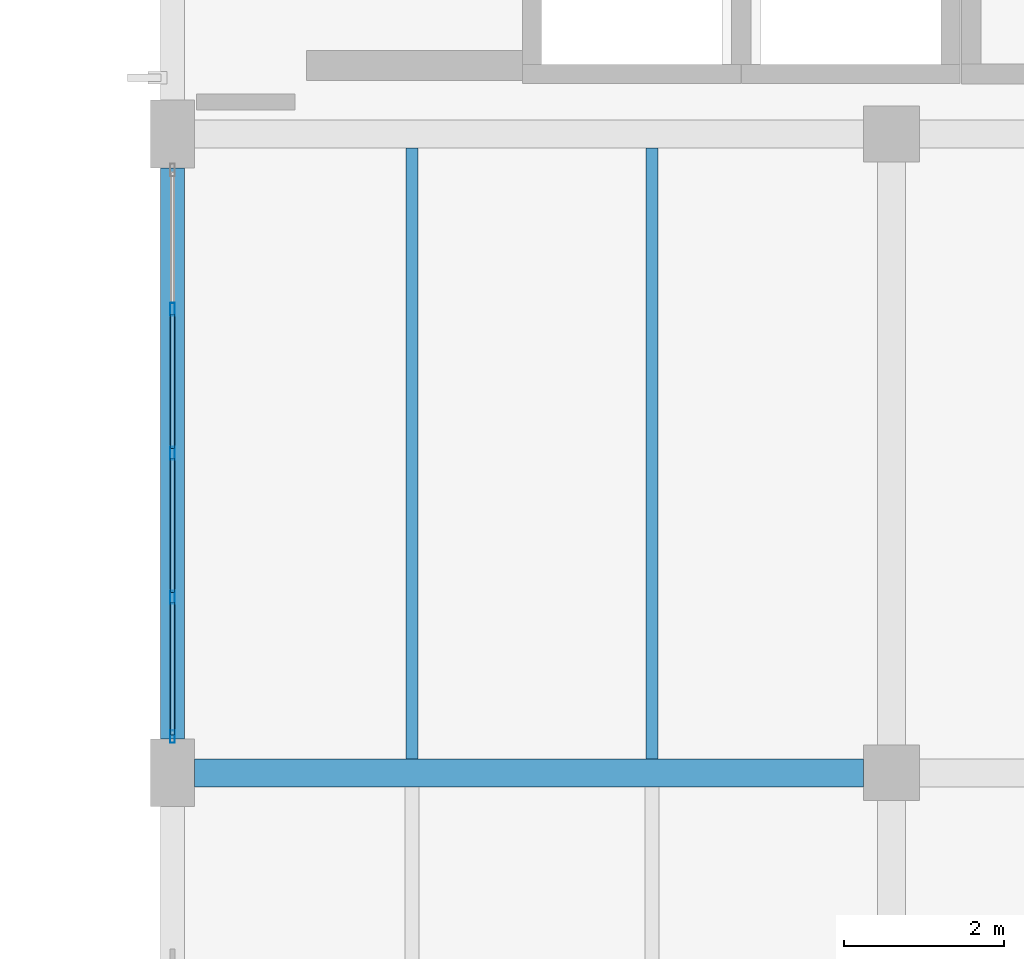
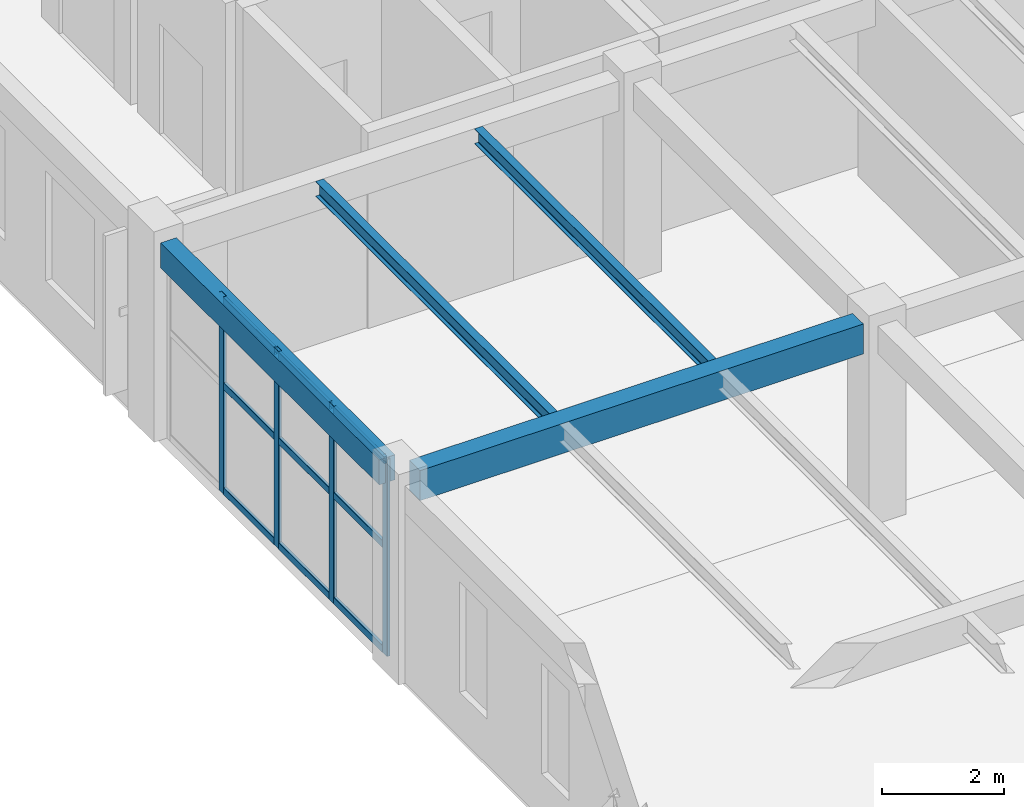
# One storey, part 29 of 71: 13 members, 4 beams, 1 element without a shape of its own.
"""IFC4 building model written with IfcOpenShell, lengths in metres."""

from ifc_helpers import new_model, si_unit, derived_unit, direction, frame, origin, origin_2d, place, context, subcontext, project, spatial, rectangle, hollow_rectangle, i_section, extrude, material, material_profile, profile_set, type_object, element, aggregate, save


model = new_model("IFC4")

# Units and contexts
model_context = context("Model", 3, precision=1e-05, world=origin(), true_north=direction((0.0, 1.0)))
body_context = subcontext(model_context, "Body", "Model", "MODEL_VIEW")
ifc_project = project(units=[si_unit("LENGTHUNIT", "METRE"), si_unit("AREAUNIT", "SQUARE_METRE"), si_unit("VOLUMEUNIT", "CUBIC_METRE"), si_unit("PLANEANGLEUNIT", "RADIAN"), si_unit("MASSUNIT", "GRAM", prefix="KILO"), derived_unit("THERMALTRANSMITTANCEUNIT", [(si_unit("MASSUNIT", "GRAM", prefix="KILO"), 1), (si_unit("TIMEUNIT", "SECOND"), -3), (si_unit("THERMODYNAMICTEMPERATUREUNIT", "KELVIN"), -1)])], contexts=[model_context])

# Site, building, storey
site_placement = place(None, origin())
site = spatial("IfcSite", under=ifc_project, at=site_placement, CompositionType="ELEMENT")
building_placement = place(site_placement, origin())
building = spatial("IfcBuilding", under=site, at=building_placement, Name="Zhenchuan Archway Interchange", CompositionType="ELEMENT")
storey_placement = place(building_placement, frame((0.0, 0.0, 18.60009765625)))
storey = spatial("IfcBuildingStorey", under=building, at=storey_placement, Name="L04", CompositionType="ELEMENT", Elevation=18.60009765625)

# Beam
ifc_material_1 = material(Name="Concrete C40", Category="concrete")
ifc_material_profile_1 = material_profile(ifc_material_1, rectangle(XDim=0.35009765625, YDim=0.60009765625, at=origin_2d()), Name="RC 350x600")
ifc_profile_set_1 = profile_set([ifc_material_profile_1], Name="Concrete C40")
beam_type_1 = type_object("IfcBeamType", Name="BM_RC_350x600", PredefinedType="BEAM", material=ifc_profile_set_1)
beam_1_placement = place(storey_placement, frame((144.27490234375, 40.0, 3.639892578125), z_axis=(1.0, 0.0, 0.0), x_axis=(0.0, 1.0, 0.0)))
element("IfcBeam", 1, at=beam_1_placement, inside=storey, type_object=beam_type_1, Name="Beam F:17-18 (L04)", PredefinedType="BEAM", context=body_context, shape_type="SweptSolid", body=[
    extrude(rectangle(XDim=0.35009765625, YDim=0.60009765625, at=origin_2d()), origin(), (0.0, 0.0, 1.0), 8.375),
])

# Curtain wall, members
ifc_material_2 = material(Name="Anodised Aluminium", Category="aluminium")
curtain_wall_type = type_object("IfcCurtainWallType", Name="CW_UNIT_3", PredefinedType="NOTDEFINED", material=ifc_material_2)
curtain_wall_placement = place(storey_placement, origin())
curtain_wall = element("IfcCurtainWall", 2, at=curtain_wall_placement, inside=storey, type_object=curtain_wall_type, Name="Unitised curtain wall CW:L04:190", PredefinedType="NOTDEFINED")
ifc_material_profile_2 = material_profile(ifc_material_2, hollow_rectangle(XDim=0.06005859375, YDim=0.159912109375, WallThickness=0.00390625, InnerFilletRadius=0.00390625, OuterFilletRadius=0.008056640625, at=origin_2d()), Name="ALU 160x60x4")
ifc_profile_set_2 = profile_set([ifc_material_profile_2], Name="Anodised Aluminium")
member_type_1 = type_object("IfcMemberType", Name="CW_MUL_150", PredefinedType="MULLION", material=ifc_profile_set_2)
member_1_placement = place(storey_placement, frame((144.0, 40.452880859375, 0.0), z_axis=(0.0, 0.0, 1.0), x_axis=(1.0, 0.0, 0.0)))
member_1 = element("IfcMember", 3, at=member_1_placement, type_object=member_type_1, Name="CW:L04:190 mullion 0", PredefinedType="MULLION", context=body_context, shape_type="SweptSolid", body=[
    extrude(hollow_rectangle(XDim=0.06005859375, YDim=0.159912109375, WallThickness=0.00390625, InnerFilletRadius=0.00390625, OuterFilletRadius=0.008056640625, at=origin_2d()), origin(), (0.0, 0.0, 1.0), 3.93994140625),
])
member_2_placement = place(storey_placement, frame((144.0, 42.196533203125, 0.0), z_axis=(0.0, 0.0, 1.0), x_axis=(1.0, 0.0, 0.0)))
member_2 = element("IfcMember", 4, at=member_2_placement, type_object=member_type_1, Name="CW:L04:190 mullion 1", PredefinedType="MULLION", context=body_context, shape_type="SweptSolid", body=[
    extrude(hollow_rectangle(XDim=0.06005859375, YDim=0.159912109375, WallThickness=0.00390625, InnerFilletRadius=0.00390625, OuterFilletRadius=0.008056640625, at=origin_2d()), origin(), (0.0, 0.0, 1.0), 3.93994140625),
])
member_3_placement = place(storey_placement, frame((144.0, 44.0, 0.0), z_axis=(0.0, 0.0, 1.0), x_axis=(1.0, 0.0, 0.0)))
member_3 = element("IfcMember", 5, at=member_3_placement, type_object=member_type_1, Name="CW:L04:190 mullion 2", PredefinedType="MULLION", context=body_context, shape_type="SweptSolid", body=[
    extrude(hollow_rectangle(XDim=0.06005859375, YDim=0.159912109375, WallThickness=0.00390625, InnerFilletRadius=0.00390625, OuterFilletRadius=0.008056640625, at=origin_2d()), origin(), (0.0, 0.0, 1.0), 3.93994140625),
])
member_4_placement = place(storey_placement, frame((144.0, 45.803466796875, 0.0), z_axis=(0.0, 0.0, 1.0), x_axis=(1.0, 0.0, 0.0)))
member_4 = element("IfcMember", 6, at=member_4_placement, type_object=member_type_1, Name="CW:L04:190 mullion 3", PredefinedType="MULLION", context=body_context, shape_type="SweptSolid", body=[
    extrude(hollow_rectangle(XDim=0.06005859375, YDim=0.159912109375, WallThickness=0.00390625, InnerFilletRadius=0.00390625, OuterFilletRadius=0.008056640625, at=origin_2d()), origin(), (0.0, 0.0, 1.0), 3.93994140625),
])
ifc_material_profile_3 = material_profile(ifc_material_2, hollow_rectangle(XDim=0.06005859375, YDim=0.139892578125, WallThickness=0.00341796875, InnerFilletRadius=0.00341796875, OuterFilletRadius=0.007080078125, at=origin_2d()), Name="ALU 140x60x3.5")
ifc_profile_set_3 = profile_set([ifc_material_profile_3], Name="Anodised Aluminium")
member_type_2 = type_object("IfcMemberType", Name="CW_TRN_140", PredefinedType="USERDEFINED", material=ifc_profile_set_3)
member_5_placement = place(storey_placement, frame((144.0, 40.472900390625, 0.059814453125), z_axis=(0.0, 1.0, 0.0), x_axis=(-1.0, 0.0, 0.0)))
member_5 = element("IfcMember", 7, at=member_5_placement, type_object=member_type_2, Name="CW:L04:190 transom 0-1", ObjectType="TRANSOM", PredefinedType="USERDEFINED", context=body_context, shape_type="SweptSolid", body=[
    extrude(hollow_rectangle(XDim=0.06005859375, YDim=0.139892578125, WallThickness=0.00341796875, InnerFilletRadius=0.00341796875, OuterFilletRadius=0.007080078125, at=origin_2d()), origin(), (0.0, 0.0, 1.0), 1.66357421875),
])
member_6_placement = place(storey_placement, frame((144.0, 40.472900390625, 2.156005859375), z_axis=(0.0, 1.0, 0.0), x_axis=(-1.0, 0.0, 0.0)))
member_6 = element("IfcMember", 8, at=member_6_placement, type_object=member_type_2, Name="CW:L04:190 transom 0-2", ObjectType="TRANSOM", PredefinedType="USERDEFINED", context=body_context, shape_type="SweptSolid", body=[
    extrude(hollow_rectangle(XDim=0.06005859375, YDim=0.139892578125, WallThickness=0.00341796875, InnerFilletRadius=0.00341796875, OuterFilletRadius=0.007080078125, at=origin_2d()), origin(), (0.0, 0.0, 1.0), 1.66357421875),
])
member_7_placement = place(storey_placement, frame((144.0, 40.472900390625, 3.85986328125), z_axis=(0.0, 1.0, 0.0), x_axis=(-1.0, 0.0, 0.0)))
member_7 = element("IfcMember", 9, at=member_7_placement, type_object=member_type_2, Name="CW:L04:190 transom 0-3", ObjectType="TRANSOM", PredefinedType="USERDEFINED", context=body_context, shape_type="SweptSolid", body=[
    extrude(hollow_rectangle(XDim=0.06005859375, YDim=0.139892578125, WallThickness=0.00341796875, InnerFilletRadius=0.00341796875, OuterFilletRadius=0.007080078125, at=origin_2d()), origin(), (0.0, 0.0, 1.0), 1.66357421875),
])
member_8_placement = place(storey_placement, frame((144.0, 42.256591796875, 0.059814453125), z_axis=(0.0, 1.0, 0.0), x_axis=(-1.0, 0.0, 0.0)))
member_8 = element("IfcMember", 10, at=member_8_placement, type_object=member_type_2, Name="CW:L04:190 transom 1-1", ObjectType="TRANSOM", PredefinedType="USERDEFINED", context=body_context, shape_type="SweptSolid", body=[
    extrude(hollow_rectangle(XDim=0.06005859375, YDim=0.139892578125, WallThickness=0.00341796875, InnerFilletRadius=0.00341796875, OuterFilletRadius=0.007080078125, at=origin_2d()), origin(), (0.0, 0.0, 1.0), 1.683349609375),
])
member_9_placement = place(storey_placement, frame((144.0, 42.256591796875, 2.156005859375), z_axis=(0.0, 1.0, 0.0), x_axis=(-1.0, 0.0, 0.0)))
member_9 = element("IfcMember", 11, at=member_9_placement, type_object=member_type_2, Name="CW:L04:190 transom 1-2", ObjectType="TRANSOM", PredefinedType="USERDEFINED", context=body_context, shape_type="SweptSolid", body=[
    extrude(hollow_rectangle(XDim=0.06005859375, YDim=0.139892578125, WallThickness=0.00341796875, InnerFilletRadius=0.00341796875, OuterFilletRadius=0.007080078125, at=origin_2d()), origin(), (0.0, 0.0, 1.0), 1.683349609375),
])
member_10_placement = place(storey_placement, frame((144.0, 42.256591796875, 3.85986328125), z_axis=(0.0, 1.0, 0.0), x_axis=(-1.0, 0.0, 0.0)))
member_10 = element("IfcMember", 12, at=member_10_placement, type_object=member_type_2, Name="CW:L04:190 transom 1-3", ObjectType="TRANSOM", PredefinedType="USERDEFINED", context=body_context, shape_type="SweptSolid", body=[
    extrude(hollow_rectangle(XDim=0.06005859375, YDim=0.139892578125, WallThickness=0.00341796875, InnerFilletRadius=0.00341796875, OuterFilletRadius=0.007080078125, at=origin_2d()), origin(), (0.0, 0.0, 1.0), 1.683349609375),
])
member_11_placement = place(storey_placement, frame((144.0, 44.06005859375, 0.059814453125), z_axis=(0.0, 1.0, 0.0), x_axis=(-1.0, 0.0, 0.0)))
member_11 = element("IfcMember", 13, at=member_11_placement, type_object=member_type_2, Name="CW:L04:190 transom 2-1", ObjectType="TRANSOM", PredefinedType="USERDEFINED", context=body_context, shape_type="SweptSolid", body=[
    extrude(hollow_rectangle(XDim=0.06005859375, YDim=0.139892578125, WallThickness=0.00341796875, InnerFilletRadius=0.00341796875, OuterFilletRadius=0.007080078125, at=origin_2d()), origin(), (0.0, 0.0, 1.0), 1.683349609375),
])
member_12_placement = place(storey_placement, frame((144.0, 44.06005859375, 2.156005859375), z_axis=(0.0, 1.0, 0.0), x_axis=(-1.0, 0.0, 0.0)))
member_12 = element("IfcMember", 14, at=member_12_placement, type_object=member_type_2, Name="CW:L04:190 transom 2-2", ObjectType="TRANSOM", PredefinedType="USERDEFINED", context=body_context, shape_type="SweptSolid", body=[
    extrude(hollow_rectangle(XDim=0.06005859375, YDim=0.139892578125, WallThickness=0.00341796875, InnerFilletRadius=0.00341796875, OuterFilletRadius=0.007080078125, at=origin_2d()), origin(), (0.0, 0.0, 1.0), 1.683349609375),
])
member_13_placement = place(storey_placement, frame((144.0, 44.06005859375, 3.85986328125), z_axis=(0.0, 1.0, 0.0), x_axis=(-1.0, 0.0, 0.0)))
member_13 = element("IfcMember", 15, at=member_13_placement, type_object=member_type_2, Name="CW:L04:190 transom 2-3", ObjectType="TRANSOM", PredefinedType="USERDEFINED", context=body_context, shape_type="SweptSolid", body=[
    extrude(hollow_rectangle(XDim=0.06005859375, YDim=0.139892578125, WallThickness=0.00341796875, InnerFilletRadius=0.00341796875, OuterFilletRadius=0.007080078125, at=origin_2d()), origin(), (0.0, 0.0, 1.0), 1.683349609375),
])
aggregate(curtain_wall, [member_1, member_2, member_3, member_4, member_5, member_6, member_7, member_8, member_9, member_10, member_11, member_12, member_13])

# Beams
ifc_material_3 = material(Name="Steel Q355", Category="steel")
ifc_material_profile_4 = material_profile(ifc_material_3, i_section(OverallWidth=0.14990234375, OverallDepth=0.300048828125, WebThickness=0.006591796875, FlangeThickness=0.009033203125, FilletRadius=0.012939453125, at=origin_2d()), Name="HN 300x150")
ifc_profile_set_4 = profile_set([ifc_material_profile_4], Name="Steel Q355")
beam_type_2 = type_object("IfcBeamType", Name="JST_STL_HN300", PredefinedType="JOIST", material=ifc_profile_set_4)
for number, where, z_axis, x_axis, name in (
    (16, (147.0, 40.175048828125, 3.789794921875), (0.0, 1.0, 0.0), (-1.0, 0.0, 0.0), "Secondary joist 17-18/F-G #1 (L04)"),
    (17, (150.0, 40.175048828125, 3.789794921875), (0.0, 1.0, 0.0), (-1.0, 0.0, 0.0), "Secondary joist 17-18/F-G #2 (L04)"),
):
    element("IfcBeam", number, at=place(storey_placement, frame(where, z_axis=z_axis, x_axis=x_axis)), inside=storey, type_object=beam_type_2, Name=name, PredefinedType="JOIST", context=body_context, shape_type="SweptSolid", body=[
        extrude(i_section(OverallWidth=0.14990234375, OverallDepth=0.300048828125, WebThickness=0.006591796875, FlangeThickness=0.009033203125, FilletRadius=0.012939453125, at=origin_2d()), origin(), (0.0, 0.0, 1.0), 7.64990234375),
    ])
ifc_material_profile_5 = material_profile(ifc_material_1, rectangle(XDim=0.300048828125, YDim=0.5, at=origin_2d()), Name="RC 300x500")
ifc_profile_set_5 = profile_set([ifc_material_profile_5], Name="Concrete C40")
beam_type_3 = type_object("IfcBeamType", Name="SP_RC_300x500", PredefinedType="SPANDREL", material=ifc_profile_set_5)
beam_2_placement = place(storey_placement, frame((144.0, 40.425048828125, 3.68994140625), z_axis=(0.0, 1.0, 0.0), x_axis=(-1.0, 0.0, 0.0)))
element("IfcBeam", 18, at=beam_2_placement, inside=storey, type_object=beam_type_3, Name="Beam 17:F-G (L04)", PredefinedType="SPANDREL", context=body_context, shape_type="SweptSolid", body=[
    extrude(rectangle(XDim=0.300048828125, YDim=0.5, at=origin_2d()), origin(), (0.0, 0.0, 1.0), 7.14990234375),
])

save(model, "model.ifc")
